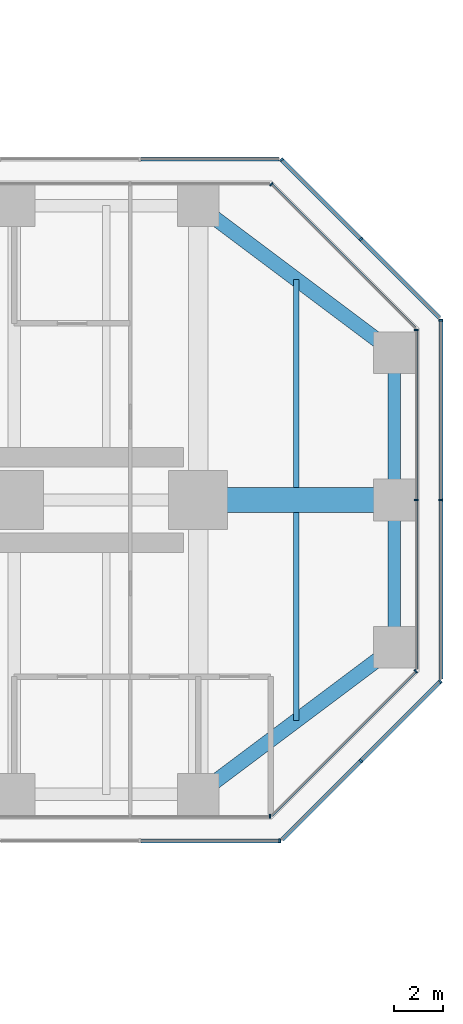
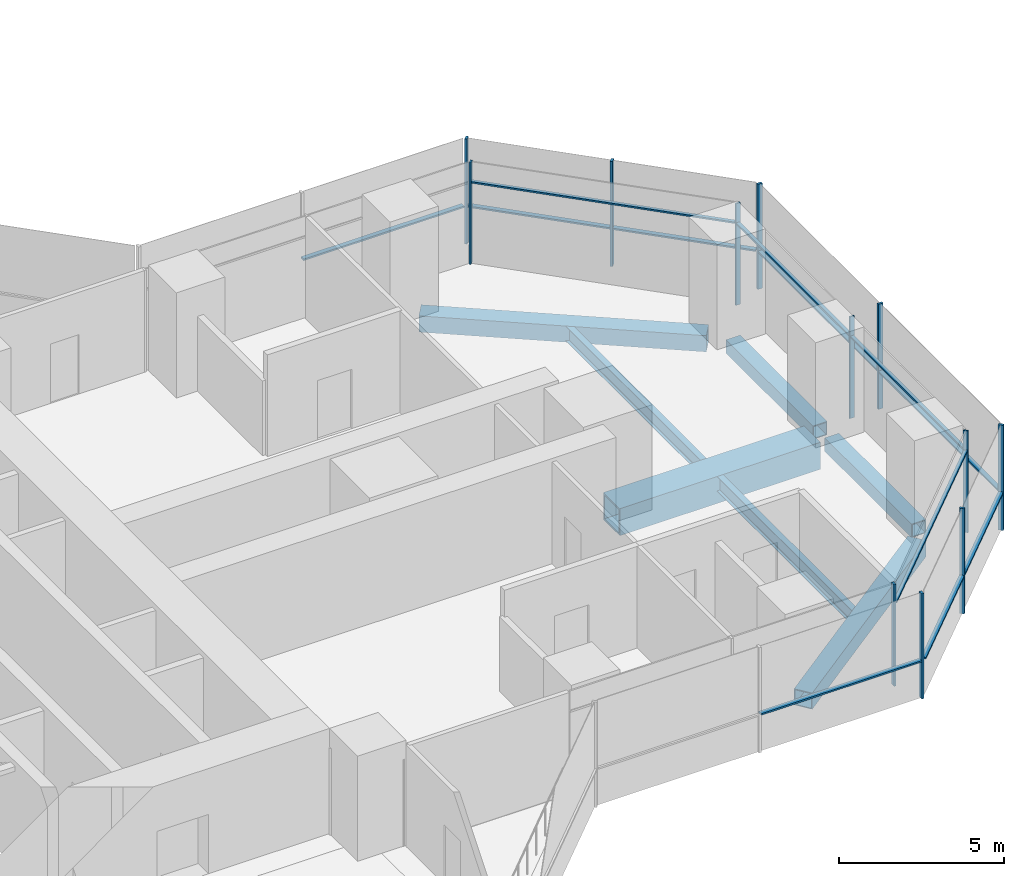
# One storey, part 12 of 22: 24 members, 7 beams, 9 elements without a shape of their own.
"""IFC4 building model written with IfcOpenShell, lengths in metres."""

from ifc_helpers import new_model, si_unit, direction, frame, origin, origin_2d, place, context, subcontext, project, spatial, rectangle, hollow_rectangle, i_section, extrude, material, material_profile, profile_set, type_object, element, aggregate, save


model = new_model("IFC4")

# Units and contexts
model_context = context("Model", 3, precision=1e-05, world=origin(), true_north=direction((0.0, 1.0)))
body_context = subcontext(model_context, "Body", "Model", "MODEL_VIEW")
ifc_project = project(units=[si_unit("LENGTHUNIT", "METRE"), si_unit("AREAUNIT", "SQUARE_METRE"), si_unit("VOLUMEUNIT", "CUBIC_METRE"), si_unit("PLANEANGLEUNIT", "RADIAN"), si_unit("MASSUNIT", "GRAM", prefix="KILO")], contexts=[model_context])

# Site, building, storey
site_placement = place(None, origin())
site = spatial("IfcSite", under=ifc_project, at=site_placement, CompositionType="ELEMENT")
building_placement = place(site_placement, origin())
building = spatial("IfcBuilding", under=site, at=building_placement, Name="Mizan Broadcast Tower", CompositionType="ELEMENT")
storey_placement = place(building_placement, frame((0.0, 0.0, 82.5)))
storey = spatial("IfcBuildingStorey", under=building, at=storey_placement, Name="L17", CompositionType="ELEMENT", Elevation=82.5)

# Beams
ifc_material_1 = material(Name="Steel S355", Category="steel")
ifc_material_profile_1 = material_profile(ifc_material_1, hollow_rectangle(XDim=0.5, YDim=0.5, WallThickness=0.030029296875, at=origin_2d()), Name="BOX 500x500x30")
ifc_profile_set_1 = profile_set([ifc_material_profile_1], Name="Steel S355")
beam_type_1 = type_object("IfcBeamType", Name="EDGE BEAM BOX 500x500x30", PredefinedType="SPANDREL", material=ifc_profile_set_1)
for number, where, z_axis, x_axis, name in (
    (1, (35.0, -5.639892578125, -0.3798828125), (0.0, 1.0, 0.0), (-1.0, 0.0, 0.0), "Edge beam BOX 500x500x30 L17 east arm"),
    (2, (35.0, 5.639892578125, -0.3798828125), (0.0, -1.0, 0.0), (1.0, 0.0, 0.0), "Edge beam BOX 500x500x30 L17 east arm"),
):
    element("IfcBeam", number, at=place(storey_placement, frame(where, z_axis=z_axis, x_axis=x_axis)), inside=storey, type_object=beam_type_1, Name=name, PredefinedType="SPANDREL", context=body_context, shape_type="SweptSolid", body=[
        extrude(hollow_rectangle(XDim=0.5, YDim=0.5, WallThickness=0.030029296875, at=origin_2d()), origin(), (0.0, 0.0, 1.0), 5.27978515625),
    ])
ifc_material_2 = material(Name="Steel S355", Category="steel")
ifc_material_profile_2 = material_profile(ifc_material_2, hollow_rectangle(XDim=0.60009765625, YDim=0.60009765625, WallThickness=0.030029296875, at=origin_2d()), Name="BOX 600x600x30")
ifc_profile_set_2 = profile_set([ifc_material_profile_2], Name="Steel S355")
beam_type_2 = type_object("IfcBeamType", Name="EDGE BEAM BOX 600x600x30", PredefinedType="SPANDREL", material=ifc_profile_set_2)
for number, where, z_axis, x_axis, name in (
    (3, (27.47998046875, -11.639892578125, -0.429931640625), (0.800013316712, 0.599982243973, 0.0), (-0.599982243973, 0.800013316712, 0.0), "Edge beam BOX 600x600x30 L17 east arm"),
    (4, (27.47998046875, 11.639892578125, -0.429931640625), (0.800013316712, -0.599982243973, 0.0), (0.599982243973, 0.800013316712, 0.0), "Edge beam BOX 600x600x30 L17 east arm"),
):
    element("IfcBeam", number, at=place(storey_placement, frame(where, z_axis=z_axis, x_axis=x_axis)), inside=storey, type_object=beam_type_2, Name=name, PredefinedType="SPANDREL", context=body_context, shape_type="SweptSolid", body=[
        extrude(hollow_rectangle(XDim=0.60009765625, YDim=0.60009765625, WallThickness=0.030029296875, at=origin_2d()), origin(), (0.0, 0.0, 1.0), 8.7998046875),
    ])
ifc_material_3 = material(Name="Steel S460", Category="steel")
ifc_material_profile_3 = material_profile(ifc_material_3, hollow_rectangle(XDim=1.0, YDim=1.0, WallThickness=0.06005859375, at=origin_2d()), Name="BOX 1000x1000x60")
ifc_profile_set_3 = profile_set([ifc_material_profile_3], Name="Steel S460")
beam_type_3 = type_object("IfcBeamType", Name="GIRDER BOX 1000x1000x60", PredefinedType="BEAM", material=ifc_profile_set_3)
beam_placement = place(storey_placement, frame((27.47998046875, 0.0, -0.6298828125), z_axis=(1.0, 0.0, 0.0), x_axis=(0.0, 1.0, 0.0)))
element("IfcBeam", 5, at=beam_placement, inside=storey, type_object=beam_type_3, Name="Girder BOX 1000x1000x60 L17 east arm", PredefinedType="BEAM", context=body_context, shape_type="SweptSolid", body=[
    extrude(hollow_rectangle(XDim=1.0, YDim=1.0, WallThickness=0.06005859375, at=origin_2d()), origin(), (0.0, 0.0, 1.0), 7.0400390625),
])

# Curtain wall, member
ifc_material_4 = material(Name="Aluminium framed glazing", Category="aluminium")
curtain_wall_type_1 = type_object("IfcCurtainWallType", Name="INNER SKIN LOW ZONE", PredefinedType="USERDEFINED", material=ifc_material_4)
curtain_wall_1_placement = place(storey_placement, origin())
curtain_wall_1 = element("IfcCurtainWall", 6, at=curtain_wall_1_placement, inside=storey, type_object=curtain_wall_type_1, Name="Inner skin low zone L17 E side", ObjectType="INNER SKIN LOW ZONE", PredefinedType="USERDEFINED")
ifc_material_5 = material(Name="Aluminium, pale anodised", Category="aluminium")
ifc_material_profile_4 = material_profile(ifc_material_5, rectangle(XDim=0.159912109375, YDim=0.06005859375, at=origin_2d()), Name="MULLION 160x60")
ifc_profile_set_4 = profile_set([ifc_material_profile_4], Name="Aluminium, pale anodised")
member_type_1 = type_object("IfcMemberType", Name="INNER SKIN MULLION 60x160", PredefinedType="MULLION", material=ifc_profile_set_4)
member_1_placement = place(storey_placement, frame((29.928466796875, -12.89990234375, 0.0), z_axis=(0.0, 0.0, 1.0), x_axis=(0.0, 1.0, 0.0)))
member_1 = element("IfcMember", 7, at=member_1_placement, type_object=member_type_1, Name="Inner skin low zone L17 E side mullion 3", PredefinedType="MULLION", context=body_context, shape_type="SweptSolid", body=[
    extrude(rectangle(XDim=0.159912109375, YDim=0.06005859375, at=origin_2d()), origin(), (0.0, 0.0, 1.0), 3.77001953125),
])
aggregate(curtain_wall_1, [member_1])

curtain_wall_2_placement = place(storey_placement, origin())
curtain_wall_2 = element("IfcCurtainWall", 8, at=curtain_wall_2_placement, inside=storey, type_object=curtain_wall_type_1, Name="Inner skin low zone L17 E chamfer", ObjectType="INNER SKIN LOW ZONE", PredefinedType="USERDEFINED")
member_2_placement = place(storey_placement, frame((35.87890625, -6.979736328125, 0.0), z_axis=(0.0, 0.0, 1.0), x_axis=(-0.707106781187, 0.707106781187, 0.0)))
member_2 = element("IfcMember", 9, at=member_2_placement, type_object=member_type_1, Name="Inner skin low zone L17 E chamfer mullion 2", PredefinedType="MULLION", context=body_context, shape_type="SweptSolid", body=[
    extrude(rectangle(XDim=0.159912109375, YDim=0.06005859375, at=origin_2d()), origin(), (0.0, 0.0, 1.0), 3.77001953125),
])

# Curtain wall, members
curtain_wall_3_placement = place(storey_placement, origin())
curtain_wall_3 = element("IfcCurtainWall", 10, at=curtain_wall_3_placement, inside=storey, type_object=curtain_wall_type_1, Name="Inner skin low zone L17 E end", ObjectType="INNER SKIN LOW ZONE", PredefinedType="USERDEFINED")
member_3_placement = place(storey_placement, frame((35.89990234375, 0.0, 0.0), z_axis=(0.0, 0.0, 1.0), x_axis=(-1.0, 0.0, 0.0)))
member_3 = element("IfcMember", 11, at=member_3_placement, type_object=member_type_1, Name="Inner skin low zone L17 E end mullion 2", PredefinedType="MULLION", context=body_context, shape_type="SweptSolid", body=[
    extrude(rectangle(XDim=0.159912109375, YDim=0.06005859375, at=origin_2d()), origin(), (0.0, 0.0, 1.0), 3.77001953125),
])
member_4_placement = place(storey_placement, frame((35.89990234375, 6.928466796875, 0.0), z_axis=(0.0, 0.0, 1.0), x_axis=(-1.0, 0.0, 0.0)))
member_4 = element("IfcMember", 12, at=member_4_placement, type_object=member_type_1, Name="Inner skin low zone L17 E end mullion 3", PredefinedType="MULLION", context=body_context, shape_type="SweptSolid", body=[
    extrude(rectangle(XDim=0.159912109375, YDim=0.06005859375, at=origin_2d()), origin(), (0.0, 0.0, 1.0), 3.77001953125),
])

# Curtain wall, member
curtain_wall_4_placement = place(storey_placement, origin())
curtain_wall_4 = element("IfcCurtainWall", 13, at=curtain_wall_4_placement, inside=storey, type_object=curtain_wall_type_1, Name="Inner skin low zone L17 E chamfer", ObjectType="INNER SKIN LOW ZONE", PredefinedType="USERDEFINED")
member_5_placement = place(storey_placement, frame((29.979736328125, 12.87890625, 0.0), z_axis=(0.0, 0.0, 1.0), x_axis=(-0.707106781187, -0.707106781187, 0.0)))
member_5 = element("IfcMember", 14, at=member_5_placement, type_object=member_type_1, Name="Inner skin low zone L17 E chamfer mullion 2", PredefinedType="MULLION", context=body_context, shape_type="SweptSolid", body=[
    extrude(rectangle(XDim=0.159912109375, YDim=0.06005859375, at=origin_2d()), origin(), (0.0, 0.0, 1.0), 3.77001953125),
])

# Member
ifc_material_6 = material(Name="Aluminium, pale anodised", Category="aluminium")
ifc_material_profile_5 = material_profile(ifc_material_6, rectangle(XDim=0.1201171875, YDim=0.06005859375, at=origin_2d()), Name="TRANSOM 120x60")
ifc_profile_set_5 = profile_set([ifc_material_profile_5], Name="Aluminium, pale anodised")
member_type_2 = type_object("IfcMemberType", Name="INNER SKIN TRANSOM 60x120", PredefinedType="USERDEFINED", material=ifc_profile_set_5)
member_6_placement = place(storey_placement, frame((30.0009765625, -12.857666015625, 3.030029296875), z_axis=(0.707106781187, 0.707106781187, 0.0), x_axis=(-0.707106781187, 0.707106781187, 0.0)))
member_6 = element("IfcMember", 15, at=member_6_placement, type_object=member_type_2, Name="Inner skin low zone L17 E chamfer transom 1.1", ObjectType="TRANSOM", PredefinedType="USERDEFINED", context=body_context, shape_type="SweptSolid", body=[
    extrude(rectangle(XDim=0.1201171875, YDim=0.06005859375, at=origin_2d()), origin(), (0.0, 0.0, 1.0), 8.28271484375),
])

aggregate(curtain_wall_2, [member_2, member_6])

member_7_placement = place(storey_placement, frame((35.89990234375, -6.898681640625, 3.030029296875), z_axis=(0.0, 1.0, 0.0), x_axis=(-1.0, 0.0, 0.0)))
member_7 = element("IfcMember", 16, at=member_7_placement, type_object=member_type_2, Name="Inner skin low zone L17 E end transom 1.1", ObjectType="TRANSOM", PredefinedType="USERDEFINED", context=body_context, shape_type="SweptSolid", body=[
    extrude(rectangle(XDim=0.1201171875, YDim=0.06005859375, at=origin_2d()), origin(), (0.0, 0.0, 1.0), 6.86865234375),
])

member_8_placement = place(storey_placement, frame((35.89990234375, 0.030029296875, 3.030029296875), z_axis=(0.0, 1.0, 0.0), x_axis=(-1.0, 0.0, 0.0)))
member_8 = element("IfcMember", 17, at=member_8_placement, type_object=member_type_2, Name="Inner skin low zone L17 E end transom 2.1", ObjectType="TRANSOM", PredefinedType="USERDEFINED", context=body_context, shape_type="SweptSolid", body=[
    extrude(rectangle(XDim=0.1201171875, YDim=0.06005859375, at=origin_2d()), origin(), (0.0, 0.0, 1.0), 6.86865234375),
])

aggregate(curtain_wall_3, [member_3, member_4, member_7, member_8])

member_9_placement = place(storey_placement, frame((35.857666015625, 7.0009765625, 3.030029296875), z_axis=(-0.707106781187, 0.707106781187, 0.0), x_axis=(-0.707106781187, -0.707106781187, 0.0)))
member_9 = element("IfcMember", 18, at=member_9_placement, type_object=member_type_2, Name="Inner skin low zone L17 E chamfer transom 1.1", ObjectType="TRANSOM", PredefinedType="USERDEFINED", context=body_context, shape_type="SweptSolid", body=[
    extrude(rectangle(XDim=0.1201171875, YDim=0.06005859375, at=origin_2d()), origin(), (0.0, 0.0, 1.0), 8.28271484375),
])

aggregate(curtain_wall_4, [member_5, member_9])

# Curtain wall, members
ifc_material_7 = material(Name="Aluminium framed glazing", Category="aluminium")
curtain_wall_type_2 = type_object("IfcCurtainWallType", Name="OUTER SKIN", PredefinedType="USERDEFINED", material=ifc_material_7)
curtain_wall_5_placement = place(storey_placement, origin())
curtain_wall_5 = element("IfcCurtainWall", 19, at=curtain_wall_5_placement, inside=storey, type_object=curtain_wall_type_2, Name="Outer skin L17 E chamfer", ObjectType="OUTER SKIN", PredefinedType="USERDEFINED")
ifc_material_8 = material(Name="Aluminium, pale anodised", Category="aluminium")
ifc_material_profile_6 = material_profile(ifc_material_8, rectangle(XDim=0.159912109375, YDim=0.080078125, at=origin_2d()), Name="MULLION 160x80")
ifc_profile_set_6 = profile_set([ifc_material_profile_6], Name="Aluminium, pale anodised")
member_type_3 = type_object("IfcMemberType", Name="OUTER SKIN MULLION 80x160", PredefinedType="MULLION", material=ifc_profile_set_6)
member_10_placement = place(storey_placement, frame((33.636474609375, -10.636474609375, 0.0), z_axis=(0.0, 0.0, 1.0), x_axis=(-0.707106781187, 0.707106781187, 0.0)))
member_10 = element("IfcMember", 20, at=member_10_placement, type_object=member_type_3, Name="Outer skin L17 E chamfer mullion 2", PredefinedType="MULLION", context=body_context, shape_type="SweptSolid", body=[
    extrude(rectangle(XDim=0.159912109375, YDim=0.080078125, at=origin_2d()), origin(), (0.0, 0.0, 1.0), 3.89990234375),
])
member_11_placement = place(storey_placement, frame((36.871826171875, -7.401123046875, 0.0), z_axis=(0.0, 0.0, 1.0), x_axis=(-0.707106781187, 0.707106781187, 0.0)))
member_11 = element("IfcMember", 21, at=member_11_placement, type_object=member_type_3, Name="Outer skin L17 E chamfer mullion 3", PredefinedType="MULLION", context=body_context, shape_type="SweptSolid", body=[
    extrude(rectangle(XDim=0.159912109375, YDim=0.080078125, at=origin_2d()), origin(), (0.0, 0.0, 1.0), 3.89990234375),
])

curtain_wall_6_placement = place(storey_placement, origin())
curtain_wall_6 = element("IfcCurtainWall", 22, at=curtain_wall_6_placement, inside=storey, type_object=curtain_wall_type_2, Name="Outer skin L17 E end", ObjectType="OUTER SKIN", PredefinedType="USERDEFINED")
member_12_placement = place(storey_placement, frame((36.89990234375, 0.0, 0.0), z_axis=(0.0, 0.0, 1.0), x_axis=(-1.0, 0.0, 0.0)))
member_12 = element("IfcMember", 23, at=member_12_placement, type_object=member_type_3, Name="Outer skin L17 E end mullion 2", PredefinedType="MULLION", context=body_context, shape_type="SweptSolid", body=[
    extrude(rectangle(XDim=0.159912109375, YDim=0.080078125, at=origin_2d()), origin(), (0.0, 0.0, 1.0), 3.89990234375),
])
member_13_placement = place(storey_placement, frame((36.89990234375, 7.332763671875, 0.0), z_axis=(0.0, 0.0, 1.0), x_axis=(-1.0, 0.0, 0.0)))
member_13 = element("IfcMember", 24, at=member_13_placement, type_object=member_type_3, Name="Outer skin L17 E end mullion 3", PredefinedType="MULLION", context=body_context, shape_type="SweptSolid", body=[
    extrude(rectangle(XDim=0.159912109375, YDim=0.080078125, at=origin_2d()), origin(), (0.0, 0.0, 1.0), 3.89990234375),
])

curtain_wall_7_placement = place(storey_placement, origin())
curtain_wall_7 = element("IfcCurtainWall", 25, at=curtain_wall_7_placement, inside=storey, type_object=curtain_wall_type_2, Name="Outer skin L17 E chamfer", ObjectType="OUTER SKIN", PredefinedType="USERDEFINED")
member_14_placement = place(storey_placement, frame((33.636474609375, 10.636474609375, 0.0), z_axis=(0.0, 0.0, 1.0), x_axis=(-0.707106781187, -0.707106781187, 0.0)))
member_14 = element("IfcMember", 26, at=member_14_placement, type_object=member_type_3, Name="Outer skin L17 E chamfer mullion 2", PredefinedType="MULLION", context=body_context, shape_type="SweptSolid", body=[
    extrude(rectangle(XDim=0.159912109375, YDim=0.080078125, at=origin_2d()), origin(), (0.0, 0.0, 1.0), 3.89990234375),
])
member_15_placement = place(storey_placement, frame((30.401123046875, 13.871826171875, 0.0), z_axis=(0.0, 0.0, 1.0), x_axis=(-0.707106781187, -0.707106781187, 0.0)))
member_15 = element("IfcMember", 27, at=member_15_placement, type_object=member_type_3, Name="Outer skin L17 E chamfer mullion 3", PredefinedType="MULLION", context=body_context, shape_type="SweptSolid", body=[
    extrude(rectangle(XDim=0.159912109375, YDim=0.080078125, at=origin_2d()), origin(), (0.0, 0.0, 1.0), 3.89990234375),
])

# Curtain wall, member
curtain_wall_8_placement = place(storey_placement, origin())
curtain_wall_8 = element("IfcCurtainWall", 28, at=curtain_wall_8_placement, inside=storey, type_object=curtain_wall_type_2, Name="Outer skin L17 E side", ObjectType="OUTER SKIN", PredefinedType="USERDEFINED")
member_16_placement = place(storey_placement, frame((30.332763671875, -13.89990234375, 0.0), z_axis=(0.0, 0.0, 1.0), x_axis=(0.0, 1.0, 0.0)))
member_16 = element("IfcMember", 29, at=member_16_placement, type_object=member_type_3, Name="Outer skin L17 E side mullion 3", PredefinedType="MULLION", context=body_context, shape_type="SweptSolid", body=[
    extrude(rectangle(XDim=0.159912109375, YDim=0.080078125, at=origin_2d()), origin(), (0.0, 0.0, 1.0), 3.89990234375),
])

# Member
ifc_material_9 = material(Name="Aluminium, pale anodised", Category="aluminium")
ifc_material_profile_7 = material_profile(ifc_material_9, rectangle(XDim=0.159912109375, YDim=0.06005859375, at=origin_2d()), Name="TRANSOM 160x60")
ifc_profile_set_7 = profile_set([ifc_material_profile_7], Name="Aluminium, pale anodised")
member_type_4 = type_object("IfcMemberType", Name="OUTER SKIN TRANSOM 60x160", PredefinedType="USERDEFINED", material=ifc_profile_set_7)
member_17_placement = place(storey_placement, frame((30.429443359375, -13.843505859375, 1.39990234375), z_axis=(0.707106781187, 0.707106781187, 0.0), x_axis=(-0.707106781187, 0.707106781187, 0.0)))
member_17 = element("IfcMember", 30, at=member_17_placement, type_object=member_type_4, Name="Outer skin L17 E chamfer transom 1.1", ObjectType="TRANSOM", PredefinedType="USERDEFINED", context=body_context, shape_type="SweptSolid", body=[
    extrude(rectangle(XDim=0.159912109375, YDim=0.06005859375, at=origin_2d()), origin(), (0.0, 0.0, 1.0), 4.495361328125),
])

member_18_placement = place(storey_placement, frame((33.664794921875, -10.608154296875, 1.39990234375), z_axis=(0.707106781187, 0.707106781187, 0.0), x_axis=(-0.707106781187, 0.707106781187, 0.0)))
member_18 = element("IfcMember", 31, at=member_18_placement, type_object=member_type_4, Name="Outer skin L17 E chamfer transom 2.1", ObjectType="TRANSOM", PredefinedType="USERDEFINED", context=body_context, shape_type="SweptSolid", body=[
    extrude(rectangle(XDim=0.159912109375, YDim=0.06005859375, at=origin_2d()), origin(), (0.0, 0.0, 1.0), 4.495361328125),
])

aggregate(curtain_wall_5, [member_10, member_11, member_17, member_18])

member_19_placement = place(storey_placement, frame((36.89990234375, -7.292724609375, 1.39990234375), z_axis=(0.0, 1.0, 0.0), x_axis=(-1.0, 0.0, 0.0)))
member_19 = element("IfcMember", 32, at=member_19_placement, type_object=member_type_4, Name="Outer skin L17 E end transom 1.1", ObjectType="TRANSOM", PredefinedType="USERDEFINED", context=body_context, shape_type="SweptSolid", body=[
    extrude(rectangle(XDim=0.159912109375, YDim=0.06005859375, at=origin_2d()), origin(), (0.0, 0.0, 1.0), 7.252685546875),
])

member_20_placement = place(storey_placement, frame((36.89990234375, 0.0400390625, 1.39990234375), z_axis=(0.0, 1.0, 0.0), x_axis=(-1.0, 0.0, 0.0)))
member_20 = element("IfcMember", 33, at=member_20_placement, type_object=member_type_4, Name="Outer skin L17 E end transom 2.1", ObjectType="TRANSOM", PredefinedType="USERDEFINED", context=body_context, shape_type="SweptSolid", body=[
    extrude(rectangle(XDim=0.159912109375, YDim=0.06005859375, at=origin_2d()), origin(), (0.0, 0.0, 1.0), 7.252685546875),
])

aggregate(curtain_wall_6, [member_12, member_13, member_19, member_20])

member_21_placement = place(storey_placement, frame((36.843505859375, 7.429443359375, 1.39990234375), z_axis=(-0.707106781187, 0.707106781187, 0.0), x_axis=(-0.707106781187, -0.707106781187, 0.0)))
member_21 = element("IfcMember", 34, at=member_21_placement, type_object=member_type_4, Name="Outer skin L17 E chamfer transom 1.1", ObjectType="TRANSOM", PredefinedType="USERDEFINED", context=body_context, shape_type="SweptSolid", body=[
    extrude(rectangle(XDim=0.159912109375, YDim=0.06005859375, at=origin_2d()), origin(), (0.0, 0.0, 1.0), 4.495361328125),
])

member_22_placement = place(storey_placement, frame((33.608154296875, 10.664794921875, 1.39990234375), z_axis=(-0.707106781187, 0.707106781187, 0.0), x_axis=(-0.707106781187, -0.707106781187, 0.0)))
member_22 = element("IfcMember", 35, at=member_22_placement, type_object=member_type_4, Name="Outer skin L17 E chamfer transom 2.1", ObjectType="TRANSOM", PredefinedType="USERDEFINED", context=body_context, shape_type="SweptSolid", body=[
    extrude(rectangle(XDim=0.159912109375, YDim=0.06005859375, at=origin_2d()), origin(), (0.0, 0.0, 1.0), 4.495361328125),
])

aggregate(curtain_wall_7, [member_14, member_15, member_21, member_22])

# Curtain wall, member
curtain_wall_9_placement = place(storey_placement, origin())
curtain_wall_9 = element("IfcCurtainWall", 36, at=curtain_wall_9_placement, inside=storey, type_object=curtain_wall_type_2, Name="Outer skin L17 E side", ObjectType="OUTER SKIN", PredefinedType="USERDEFINED")
member_23_placement = place(storey_placement, frame((30.292724609375, 13.89990234375, 1.39990234375), z_axis=(-1.0, 0.0, 0.0), x_axis=(0.0, -1.0, 0.0)))
member_23 = element("IfcMember", 37, at=member_23_placement, type_object=member_type_4, Name="Outer skin L17 E side transom 1.1", ObjectType="TRANSOM", PredefinedType="USERDEFINED", context=body_context, shape_type="SweptSolid", body=[
    extrude(rectangle(XDim=0.159912109375, YDim=0.06005859375, at=origin_2d()), origin(), (0.0, 0.0, 1.0), 5.6298828125),
])
aggregate(curtain_wall_9, [member_23])

# Member
member_24_placement = place(storey_placement, frame((24.662841796875, -13.89990234375, 1.39990234375), z_axis=(1.0, 0.0, 0.0), x_axis=(0.0, 1.0, 0.0)))
member_24 = element("IfcMember", 38, at=member_24_placement, type_object=member_type_4, Name="Outer skin L17 E side transom 2.1", ObjectType="TRANSOM", PredefinedType="USERDEFINED", context=body_context, shape_type="SweptSolid", body=[
    extrude(rectangle(XDim=0.159912109375, YDim=0.06005859375, at=origin_2d()), origin(), (0.0, 0.0, 1.0), 5.6298828125),
])

aggregate(curtain_wall_8, [member_16, member_24])

# Beams
ifc_material_10 = material(Name="Steel S355", Category="steel")
ifc_material_profile_8 = material_profile(ifc_material_10, i_section(OverallWidth=0.2099609375, OverallDepth=0.550048828125, WebThickness=0.010986328125, FlangeThickness=0.01708984375, FilletRadius=0.02392578125, at=origin_2d()), Name="IPE 550")
ifc_profile_set_8 = profile_set([ifc_material_profile_8], Name="Steel S355")
beam_type_4 = type_object("IfcBeamType", Name="SECONDARY BEAM IPE 550", PredefinedType="JOIST", material=ifc_profile_set_8)
for number, where, z_axis, x_axis, name in (
    (39, (31.0, -9.0, -0.405029296875), (0.0, 1.0, 0.0), (-1.0, 0.0, 0.0), "Secondary beam IPE 550 L17 east arm"),
    (40, (31.0, 9.0, -0.405029296875), (0.0, -1.0, 0.0), (1.0, 0.0, 0.0), "Secondary beam IPE 550 L17 east arm"),
):
    element("IfcBeam", number, at=place(storey_placement, frame(where, z_axis=z_axis, x_axis=x_axis)), inside=storey, type_object=beam_type_4, Name=name, PredefinedType="JOIST", context=body_context, shape_type="SweptSolid", body=[
        extrude(i_section(OverallWidth=0.2099609375, OverallDepth=0.550048828125, WebThickness=0.010986328125, FlangeThickness=0.01708984375, FilletRadius=0.02392578125, at=origin_2d()), origin(), (0.0, 0.0, 1.0), 8.5),
    ])

save(model, "model.ifc")
